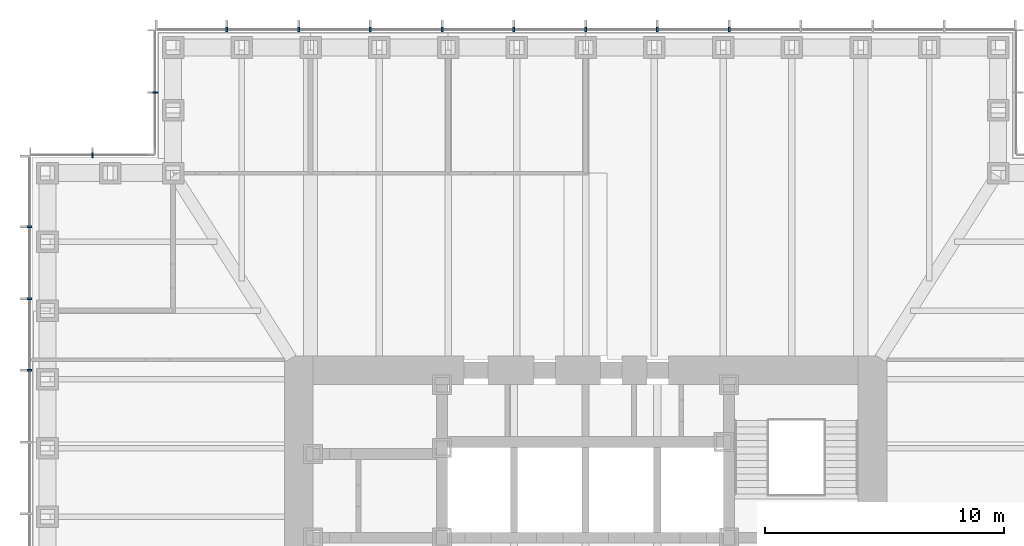
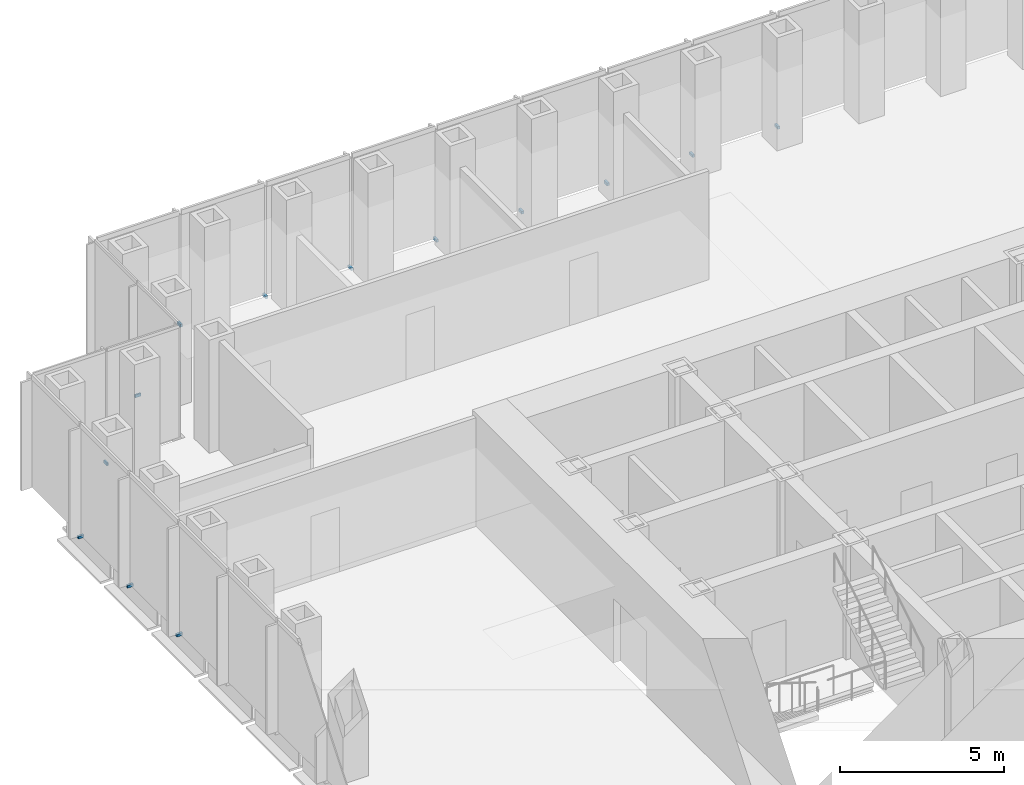
# One storey, part 14 of 16: 13 discrete accessories.
"""IFC4 building model written with IfcOpenShell, lengths in metres."""

from ifc_helpers import new_model, si_unit, direction, frame, origin, origin_2d, place, context, subcontext, project, spatial, rectangle, extrude, element, save


model = new_model("IFC4")

# Units and contexts
model_context = context("Model", 3, precision=1e-05, world=origin(), true_north=direction((0.0, 1.0)))
body_context = subcontext(model_context, "Body", "Model", "MODEL_VIEW")
ifc_project = project(units=[si_unit("LENGTHUNIT", "METRE"), si_unit("AREAUNIT", "SQUARE_METRE"), si_unit("VOLUMEUNIT", "CUBIC_METRE"), si_unit("PLANEANGLEUNIT", "RADIAN"), si_unit("MASSUNIT", "GRAM", prefix="KILO")], contexts=[model_context])

# Site, building, storey
site_placement = place(None, origin())
site = spatial("IfcSite", under=ifc_project, at=site_placement, CompositionType="ELEMENT")
building_placement = place(site_placement, origin())
building = spatial("IfcBuilding", under=site, at=building_placement, Name="Daluyong Arena Tower", CompositionType="ELEMENT")
storey_placement = place(building_placement, frame((0.0, 0.0, 137.5)))
storey = spatial("IfcBuildingStorey", under=building, at=storey_placement, Name="L30", CompositionType="ELEMENT", Elevation=137.5)

# Discrete accessories
for number, where, z_axis, x_axis, name in (
    (1, (62.0, 103.25, -0.10009765625), (0.0, 0.0, 1.0), (-1.0, 0.0, 0.0), "curtain wall L30 N anchor bracket 5"),
    (2, (59.0, 103.25, -0.10009765625), (0.0, 0.0, 1.0), (-1.0, 0.0, 0.0), "curtain wall L30 N anchor bracket 6"),
    (3, (56.0, 103.25, -0.10009765625), (0.0, 0.0, 1.0), (-1.0, 0.0, 0.0), "curtain wall L30 N anchor bracket 7"),
    (4, (53.0, 103.25, -0.10009765625), (0.0, 0.0, 1.0), (-1.0, 0.0, 0.0), "curtain wall L30 N anchor bracket 8"),
    (5, (50.0, 103.25, -0.10009765625), (0.0, 0.0, 1.0), (-1.0, 0.0, 0.0), "curtain wall L30 N anchor bracket 9"),
    (6, (47.0, 103.25, -0.10009765625), (0.0, 0.0, 1.0), (-1.0, 0.0, 0.0), "curtain wall L30 N anchor bracket 10"),
    (7, (44.0, 103.25, -0.10009765625), (0.0, 0.0, 1.0), (-1.0, 0.0, 0.0), "curtain wall L30 N anchor bracket 11"),
    (8, (41.0, 103.25, -0.10009765625), (0.0, 0.0, 1.0), (-1.0, 0.0, 0.0), "curtain wall L30 N anchor bracket 12"),
):
    element("IfcDiscreteAccessory", number, at=place(storey_placement, frame(where, z_axis=z_axis, x_axis=x_axis)), inside=storey, Name=name, PredefinedType="BRACKET", context=body_context, shape_type="SweptSolid", body=[
        extrude(rectangle(XDim=0.080078125, YDim=0.199951171875, at=origin_2d()), origin(), (0.0, 0.0, 1.0), 0.10009765625),
    ])
for number, where, z_axis, x_axis, name in (
    (9, (38.0, 100.625, -0.10009765625), (0.0, 0.0, 1.0), (0.0, -1.0, 0.0), "curtain wall L30 NW-W anchor bracket 2"),
    (10, (35.375, 98.0, -0.10009765625), (0.0, 0.0, 1.0), (-1.0, 0.0, 0.0), "curtain wall L30 NW-N anchor bracket 2"),
):
    element("IfcDiscreteAccessory", number, at=place(storey_placement, frame(where, z_axis=z_axis, x_axis=x_axis)), inside=storey, Name=name, PredefinedType="BRACKET", context=body_context, shape_type="SweptSolid", body=[
        extrude(rectangle(XDim=0.06005859375, YDim=0.199951171875, at=origin_2d()), origin(), (0.0, 0.0, 1.0), 0.10009765625),
    ])
for number, where, z_axis, x_axis, name in (
    (11, (32.75, 95.0, -0.10009765625), (0.0, 0.0, 1.0), (0.0, -1.0, 0.0), "curtain wall L30 W anchor bracket 2"),
    (12, (32.75, 92.0, -0.10009765625), (0.0, 0.0, 1.0), (0.0, -1.0, 0.0), "curtain wall L30 W anchor bracket 3"),
    (13, (32.75, 89.0, -0.10009765625), (0.0, 0.0, 1.0), (0.0, -1.0, 0.0), "curtain wall L30 W anchor bracket 4"),
):
    element("IfcDiscreteAccessory", number, at=place(storey_placement, frame(where, z_axis=z_axis, x_axis=x_axis)), inside=storey, Name=name, PredefinedType="BRACKET", context=body_context, shape_type="SweptSolid", body=[
        extrude(rectangle(XDim=0.080078125, YDim=0.199951171875, at=origin_2d()), origin(), (0.0, 0.0, 1.0), 0.10009765625),
    ])

save(model, "model.ifc")
